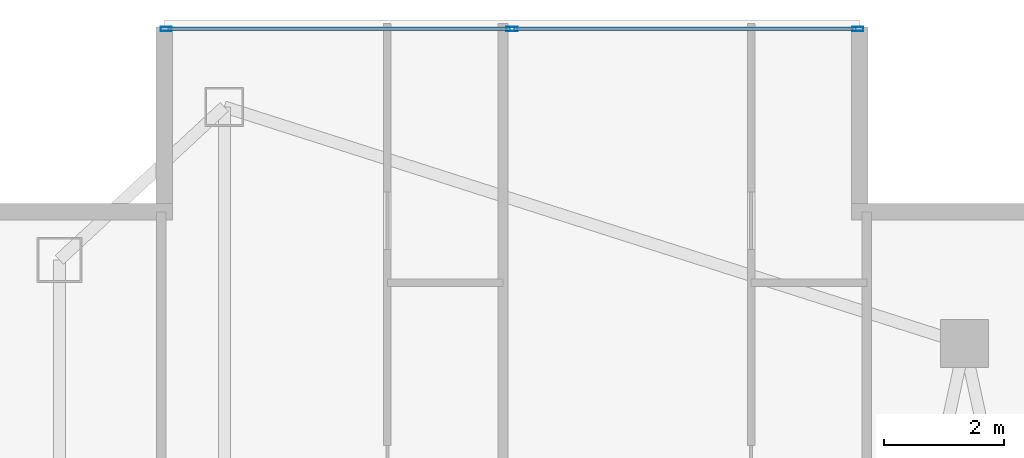
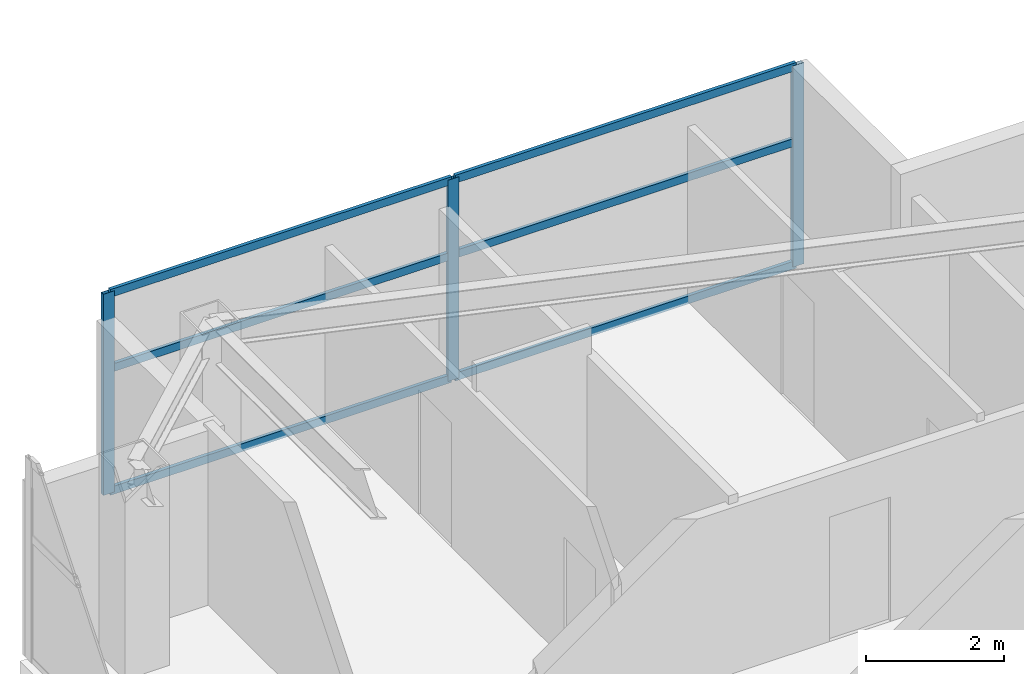
# One storey, part 20 of 29: 9 members, 1 element without a shape of its own.
"""IFC4 building model written with IfcOpenShell, lengths in metres."""

from ifc_helpers import new_model, si_unit, direction, frame, origin, origin_2d, place, context, subcontext, project, spatial, hollow_rectangle, extrude, material, layer, layer_set, material_profile, profile_set, type_object, element, aggregate, save


model = new_model("IFC4")

# Units and contexts
model_context = context("Model", 3, precision=1e-05, world=origin(), true_north=direction((0.0, 1.0)))
body_context = subcontext(model_context, "Body", "Model", "MODEL_VIEW")
ifc_project = project(units=[si_unit("LENGTHUNIT", "METRE"), si_unit("AREAUNIT", "SQUARE_METRE"), si_unit("VOLUMEUNIT", "CUBIC_METRE"), si_unit("PLANEANGLEUNIT", "RADIAN"), si_unit("MASSUNIT", "GRAM", prefix="KILO")], contexts=[model_context])

# Site, building, storey
site_placement = place(None, origin())
site = spatial("IfcSite", under=ifc_project, at=site_placement, CompositionType="ELEMENT")
building_placement = place(site_placement, origin())
building = spatial("IfcBuilding", under=site, at=building_placement, Name="Calvorn Quay Hotel", CompositionType="ELEMENT")
storey_placement = place(building_placement, frame((0.0, 0.0, 211.0)))
storey = spatial("IfcBuildingStorey", under=building, at=storey_placement, Name="L52", CompositionType="ELEMENT", Elevation=211.0)

# Curtain wall, members
ifc_material_1 = material(Name="Champagne Bronze Anodised Aluminium and Low-E Glass", Category="aluminium")
ifc_layer = layer(ifc_material_1, 0.219970703125)
ifc_layer_set = layer_set([ifc_layer], Name="CW-SYS-Z3")
curtain_wall_type = type_object("IfcCurtainWallType", Name="CW-SYS-Z3", PredefinedType="NOTDEFINED", material=ifc_layer_set)
curtain_wall_placement = place(storey_placement, origin())
curtain_wall = element("IfcCurtainWall", 1, at=curtain_wall_placement, inside=storey, type_object=curtain_wall_type, Name="Inner Court Curtain Wall L52-N1", PredefinedType="NOTDEFINED")
ifc_material_2 = material(Name="Champagne Bronze Anodised Aluminium 6063-T6", Category="aluminium")
ifc_material_profile_1 = material_profile(ifc_material_2, hollow_rectangle(XDim=0.068115234375, YDim=0.18505859375, WallThickness=0.00390625, at=origin_2d()), Name="ALU-M185x68x4")
ifc_profile_set_1 = profile_set([ifc_material_profile_1], Name="Champagne Bronze Anodised Aluminium 6063-T6")
member_type_1 = type_object("IfcMemberType", Name="CW-SYS-Z3-MUL", PredefinedType="MULLION", material=ifc_profile_set_1)
member_1_placement = place(storey_placement, frame((14.77001953125, 50.85009765625, 0.0), z_axis=(0.0, 0.0, 1.0), x_axis=(0.0, -1.0, 0.0)))
member_1 = element("IfcMember", 2, at=member_1_placement, type_object=member_type_1, Name="CW-L52-N1 mullion 1", PredefinedType="MULLION", context=body_context, shape_type="SweptSolid", body=[
    extrude(hollow_rectangle(XDim=0.068115234375, YDim=0.18505859375, WallThickness=0.00390625, at=origin_2d()), origin(), (0.0, 0.0, 1.0), 3.56005859375),
])
member_2_placement = place(storey_placement, frame((9.0, 50.85009765625, 0.0), z_axis=(0.0, 0.0, 1.0), x_axis=(0.0, -1.0, 0.0)))
member_2 = element("IfcMember", 3, at=member_2_placement, type_object=member_type_1, Name="CW-L52-N1 mullion 2", PredefinedType="MULLION", context=body_context, shape_type="SweptSolid", body=[
    extrude(hollow_rectangle(XDim=0.068115234375, YDim=0.18505859375, WallThickness=0.00390625, at=origin_2d()), origin(), (0.0, 0.0, 1.0), 3.56005859375),
])
member_3_placement = place(storey_placement, frame((3.22998046875, 50.85009765625, 0.0), z_axis=(0.0, 0.0, 1.0), x_axis=(0.0, -1.0, 0.0)))
member_3 = element("IfcMember", 4, at=member_3_placement, type_object=member_type_1, Name="CW-L52-N1 mullion 3", PredefinedType="MULLION", context=body_context, shape_type="SweptSolid", body=[
    extrude(hollow_rectangle(XDim=0.068115234375, YDim=0.18505859375, WallThickness=0.00390625, at=origin_2d()), origin(), (0.0, 0.0, 1.0), 3.56005859375),
])
ifc_material_3 = material(Name="Champagne Bronze Anodised Aluminium 6063-T6", Category="aluminium")
ifc_material_profile_2 = material_profile(ifc_material_3, hollow_rectangle(XDim=0.05810546875, YDim=0.139892578125, WallThickness=0.003173828125, at=origin_2d()), Name="ALU-T140x58x3.2")
ifc_profile_set_2 = profile_set([ifc_material_profile_2], Name="Champagne Bronze Anodised Aluminium 6063-T6")
member_type_2 = type_object("IfcMemberType", Name="CW-SYS-Z3-TRN", PredefinedType="USERDEFINED", material=ifc_profile_set_2)
member_4_placement = place(storey_placement, frame((14.739990234375, 50.85009765625, 0.030029296875), z_axis=(-1.0, 0.0, 0.0), x_axis=(0.0, -1.0, 0.0)))
member_4 = element("IfcMember", 5, at=member_4_placement, type_object=member_type_2, Name="CW-L52-N1 transom 1.1", ObjectType="TRANSOM", PredefinedType="USERDEFINED", context=body_context, shape_type="SweptSolid", body=[
    extrude(hollow_rectangle(XDim=0.05810546875, YDim=0.139892578125, WallThickness=0.003173828125, at=origin_2d()), origin(), (0.0, 0.0, 1.0), 5.7099609375),
])
member_5_placement = place(storey_placement, frame((14.739990234375, 50.85009765625, 2.199951171875), z_axis=(-1.0, 0.0, 0.0), x_axis=(0.0, -1.0, 0.0)))
member_5 = element("IfcMember", 6, at=member_5_placement, type_object=member_type_2, Name="CW-L52-N1 transom 1.2", ObjectType="TRANSOM", PredefinedType="USERDEFINED", context=body_context, shape_type="SweptSolid", body=[
    extrude(hollow_rectangle(XDim=0.05810546875, YDim=0.139892578125, WallThickness=0.003173828125, at=origin_2d()), origin(), (0.0, 0.0, 1.0), 5.7099609375),
])
member_6_placement = place(storey_placement, frame((14.739990234375, 50.85009765625, 3.530029296875), z_axis=(-1.0, 0.0, 0.0), x_axis=(0.0, -1.0, 0.0)))
member_6 = element("IfcMember", 7, at=member_6_placement, type_object=member_type_2, Name="CW-L52-N1 transom 1.3", ObjectType="TRANSOM", PredefinedType="USERDEFINED", context=body_context, shape_type="SweptSolid", body=[
    extrude(hollow_rectangle(XDim=0.05810546875, YDim=0.139892578125, WallThickness=0.003173828125, at=origin_2d()), origin(), (0.0, 0.0, 1.0), 5.7099609375),
])
member_7_placement = place(storey_placement, frame((8.969970703125, 50.85009765625, 0.030029296875), z_axis=(-1.0, 0.0, 0.0), x_axis=(0.0, -1.0, 0.0)))
member_7 = element("IfcMember", 8, at=member_7_placement, type_object=member_type_2, Name="CW-L52-N1 transom 2.1", ObjectType="TRANSOM", PredefinedType="USERDEFINED", context=body_context, shape_type="SweptSolid", body=[
    extrude(hollow_rectangle(XDim=0.05810546875, YDim=0.139892578125, WallThickness=0.003173828125, at=origin_2d()), origin(), (0.0, 0.0, 1.0), 5.7099609375),
])
member_8_placement = place(storey_placement, frame((8.969970703125, 50.85009765625, 2.199951171875), z_axis=(-1.0, 0.0, 0.0), x_axis=(0.0, -1.0, 0.0)))
member_8 = element("IfcMember", 9, at=member_8_placement, type_object=member_type_2, Name="CW-L52-N1 transom 2.2", ObjectType="TRANSOM", PredefinedType="USERDEFINED", context=body_context, shape_type="SweptSolid", body=[
    extrude(hollow_rectangle(XDim=0.05810546875, YDim=0.139892578125, WallThickness=0.003173828125, at=origin_2d()), origin(), (0.0, 0.0, 1.0), 5.7099609375),
])
member_9_placement = place(storey_placement, frame((8.969970703125, 50.85009765625, 3.530029296875), z_axis=(-1.0, 0.0, 0.0), x_axis=(0.0, -1.0, 0.0)))
member_9 = element("IfcMember", 10, at=member_9_placement, type_object=member_type_2, Name="CW-L52-N1 transom 2.3", ObjectType="TRANSOM", PredefinedType="USERDEFINED", context=body_context, shape_type="SweptSolid", body=[
    extrude(hollow_rectangle(XDim=0.05810546875, YDim=0.139892578125, WallThickness=0.003173828125, at=origin_2d()), origin(), (0.0, 0.0, 1.0), 5.7099609375),
])
aggregate(curtain_wall, [member_1, member_2, member_3, member_4, member_5, member_6, member_7, member_8, member_9])

save(model, "model.ifc")
